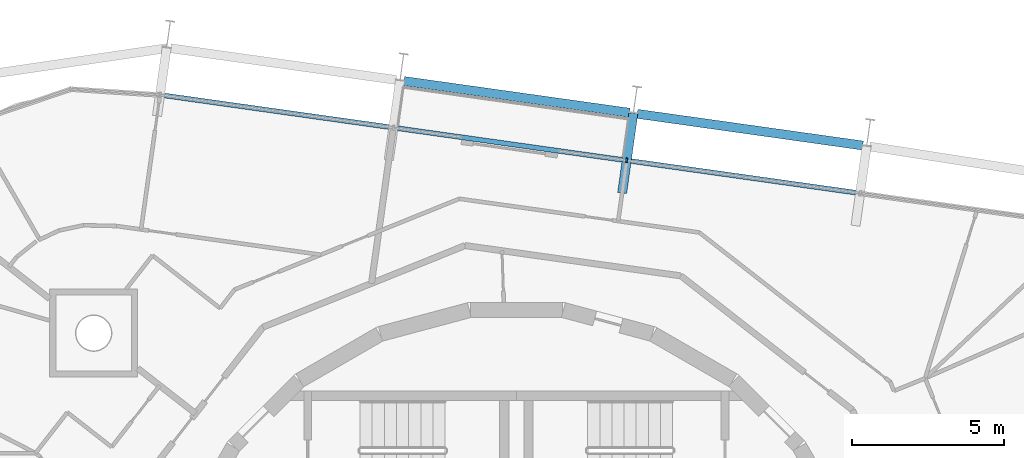
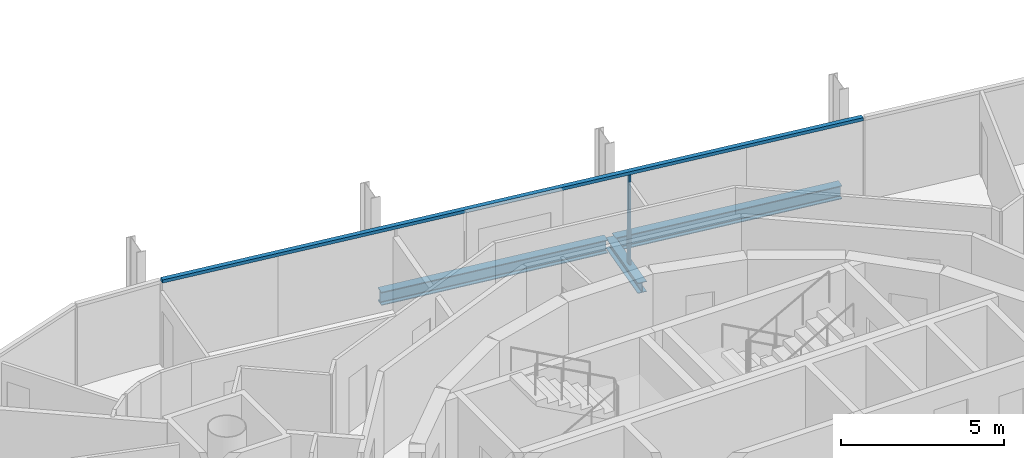
# One storey, part 6 of 15: 3 beams, 2 members, 1 element without a shape of its own.
"""IFC4 building model written with IfcOpenShell, lengths in metres."""

from ifc_helpers import new_model, si_unit, direction, frame, origin, origin_2d, place, context, subcontext, project, spatial, rectangle, i_section, extrude, material, layer, layer_set, material_profile, profile_set, type_object, element, aggregate, save


model = new_model("IFC4")

# Units and contexts
model_context = context("Model", 3, precision=1e-05, world=origin(), true_north=direction((0.0, 1.0)))
body_context = subcontext(model_context, "Body", "Model", "MODEL_VIEW")
ifc_project = project(units=[si_unit("LENGTHUNIT", "METRE"), si_unit("AREAUNIT", "SQUARE_METRE"), si_unit("VOLUMEUNIT", "CUBIC_METRE"), si_unit("PLANEANGLEUNIT", "RADIAN"), si_unit("MASSUNIT", "GRAM", prefix="KILO")], contexts=[model_context])

# Site, building, storey
site_placement = place(None, origin())
site = spatial("IfcSite", under=ifc_project, at=site_placement, CompositionType="ELEMENT")
building_placement = place(site_placement, origin())
building = spatial("IfcBuilding", under=site, at=building_placement, Name="Spindle Arch Residences", CompositionType="ELEMENT")
storey_placement = place(building_placement, frame((0.0, 0.0, 340.0)))
storey = spatial("IfcBuildingStorey", under=building, at=storey_placement, Name="L87", CompositionType="ELEMENT", Elevation=340.0)

# Curtain wall, members
ifc_material_1 = material(Name="Aluminium bronze unitised frame with tinted glass", Category="aluminium")
ifc_layer = layer(ifc_material_1, 0.159912109375)
ifc_layer_set = layer_set([ifc_layer], Name="CW-C typical residential unitised wall")
curtain_wall_type = type_object("IfcCurtainWallType", Name="CW-C typical residential unitised wall", PredefinedType="NOTDEFINED", material=ifc_layer_set)
curtain_wall_placement = place(storey_placement, origin())
curtain_wall = element("IfcCurtainWall", 1, at=curtain_wall_placement, inside=storey, type_object=curtain_wall_type, Name="CW-C L87 run 2", PredefinedType="NOTDEFINED")
ifc_material_2 = material(Name="Aluminium bronze anodised mullion", Category="aluminium")
ifc_material_profile_1 = material_profile(ifc_material_2, rectangle(XDim=0.159912109375, YDim=0.06005859375, at=origin_2d()), Name="MU 60x160")
ifc_profile_set_1 = profile_set([ifc_material_profile_1], Name="Aluminium bronze anodised mullion")
member_type_1 = type_object("IfcMemberType", Name="Bronze mullion 60x160", PredefinedType="MULLION", material=ifc_profile_set_1)
member_1_placement = place(storey_placement, frame((3.63623046875, 16.57373046875, -0.3798828125), z_axis=(0.0, 0.0, 1.0), x_axis=(-0.13917310096, -0.990268068742, 0.0)))
member_1 = element("IfcMember", 2, at=member_1_placement, type_object=member_type_1, Name="CW-C mullion 06", PredefinedType="MULLION", context=body_context, shape_type="SweptSolid", body=[
    extrude(rectangle(XDim=0.159912109375, YDim=0.06005859375, at=origin_2d()), origin(), (0.0, 0.0, 1.0), 3.3798828125),
])
ifc_material_3 = material(Name="Aluminium bronze anodised transom", Category="aluminium")
ifc_material_profile_2 = material_profile(ifc_material_3, rectangle(XDim=0.159912109375, YDim=0.1201171875, at=origin_2d()), Name="TR 120x160")
ifc_profile_set_2 = profile_set([ifc_material_profile_2], Name="Aluminium bronze anodised transom")
member_type_2 = type_object("IfcMemberType", Name="Bronze transom 120x160", PredefinedType="USERDEFINED", material=ifc_profile_set_2)
member_2_placement = place(storey_placement, frame((11.296630859375, 15.4970703125, 3.06005859375), z_axis=(-0.990268437621, 0.13917047622, 0.0), x_axis=(-0.13917047622, -0.990268437621, 0.0)))
member_2 = element("IfcMember", 3, at=member_2_placement, type_object=member_type_2, Name="CW-C transom 00", ObjectType="TRANSOM", PredefinedType="USERDEFINED", context=body_context, shape_type="SweptSolid", body=[
    extrude(rectangle(XDim=0.159912109375, YDim=0.1201171875, at=origin_2d()), origin(), (0.0, 0.0, 1.0), 23.23681640625),
])
aggregate(curtain_wall, [member_2, member_1])

# Beams
ifc_material_4 = material(Name="Steel S460ML, intumescent coating R 120", Category="steel")
ifc_material_profile_3 = material_profile(ifc_material_4, i_section(OverallWidth=0.300048828125, OverallDepth=0.5, WebThickness=0.014404296875, FlangeThickness=0.028076171875, FilletRadius=0.027099609375, at=origin_2d()), Name="HEB 500")
ifc_profile_set_3 = profile_set([ifc_material_profile_3], Name="Steel S460ML, intumescent coating R 120")
beam_type_1 = type_object("IfcBeamType", Name="Exoskeleton edge beam HEB 500", PredefinedType="BEAM", material=ifc_profile_set_3)
for number, where, z_axis, x_axis, name in (
    (4, (11.416015625, 17.065673828125, -0.6298828125), (-0.990266388354, 0.139185057015, 0.0), (-0.139185057015, -0.990266388354, 0.0), "Exoskeleton edge beam 6"),
    (5, (3.72607421875, 18.146484375, -0.6298828125), (-0.990270871131, 0.139153159463, 0.0), (-0.139153159463, -0.990270871131, 0.0), "Exoskeleton edge beam 7"),
):
    element("IfcBeam", number, at=place(storey_placement, frame(where, z_axis=z_axis, x_axis=x_axis)), inside=storey, type_object=beam_type_1, Name=name, PredefinedType="BEAM", context=body_context, shape_type="SweptSolid", body=[
        extrude(i_section(OverallWidth=0.300048828125, OverallDepth=0.5, WebThickness=0.014404296875, FlangeThickness=0.028076171875, FilletRadius=0.027099609375, at=origin_2d()), origin(), (0.0, 0.0, 1.0), 7.505615234375),
    ])
ifc_material_5 = material(Name="Steel S460ML, intumescent coating R 120", Category="steel")
ifc_material_profile_4 = material_profile(ifc_material_5, i_section(OverallWidth=0.300048828125, OverallDepth=0.389892578125, WebThickness=0.010986328125, FlangeThickness=0.01904296875, FilletRadius=0.027099609375, at=origin_2d()), Name="HEA 400")
ifc_profile_set_4 = profile_set([ifc_material_profile_4], Name="Steel S460ML, intumescent coating R 120")
beam_type_2 = type_object("IfcBeamType", Name="Floor outrigger HEA 400", PredefinedType="BEAM", material=ifc_profile_set_4)
beam_placement = place(storey_placement, frame((3.854736328125, 18.12841796875, -0.574951171875), z_axis=(-0.13911226088, -0.990276617351, 0.0), x_axis=(0.990276617351, -0.13911226088, 0.0)))
element("IfcBeam", 6, at=beam_placement, inside=storey, type_object=beam_type_2, Name="Floor outrigger 7", PredefinedType="BEAM", context=body_context, shape_type="SweptSolid", body=[
    extrude(i_section(OverallWidth=0.300048828125, OverallDepth=0.389892578125, WebThickness=0.010986328125, FlangeThickness=0.01904296875, FilletRadius=0.027099609375, at=origin_2d()), origin(), (0.0, 0.0, 1.0), 2.650146484375),
])

save(model, "model.ifc")
